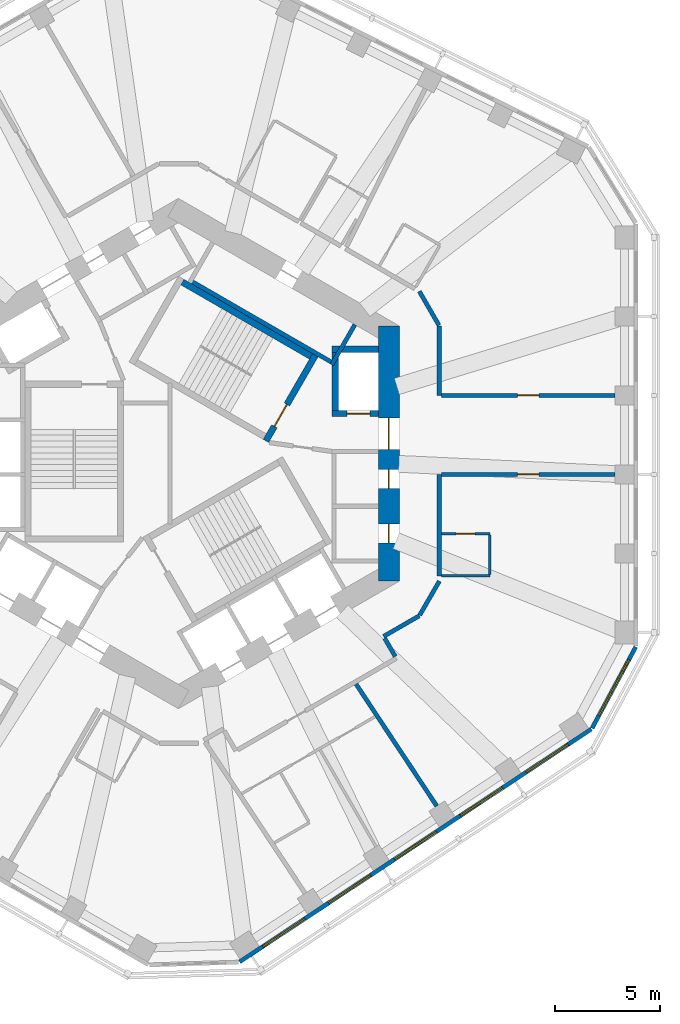
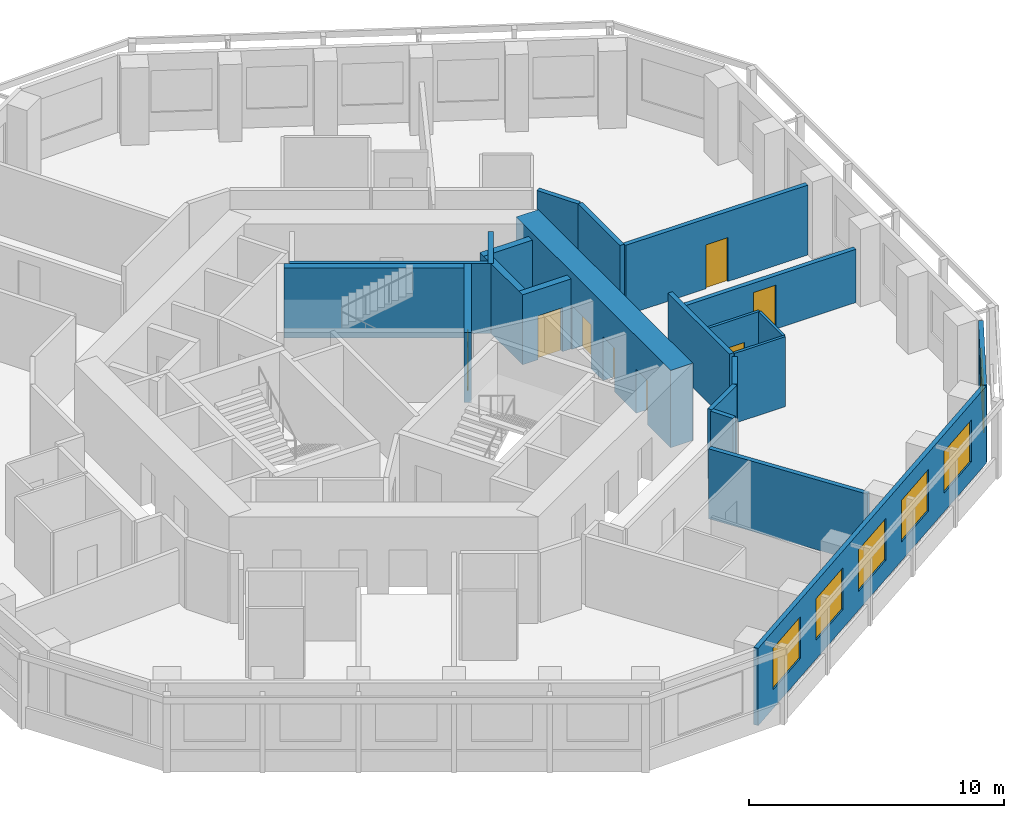
# One storey, part 6 of 11: 22 walls, 8 doors, 6 windows, 14 openings.
"""IFC4 building model written with IfcOpenShell, lengths in metres."""

from ifc_helpers import new_model, si_unit, direction, frame, frame_2d, origin, place, context, subcontext, project, spatial, rectangle, extrude, material, layer, layer_set, type_object, element, fill, save


model = new_model("IFC4")

# Units and contexts
model_context = context("Model", 3, precision=1e-05, world=origin(), true_north=direction((0.0, 1.0)))
body_context = subcontext(model_context, "Body", "Model", "MODEL_VIEW")
ifc_project = project(units=[si_unit("LENGTHUNIT", "METRE"), si_unit("AREAUNIT", "SQUARE_METRE"), si_unit("VOLUMEUNIT", "CUBIC_METRE"), si_unit("PLANEANGLEUNIT", "RADIAN"), si_unit("MASSUNIT", "GRAM", prefix="KILO")], contexts=[model_context])

# Site, building, storey
site_placement = place(None, origin())
site = spatial("IfcSite", under=ifc_project, at=site_placement, CompositionType="ELEMENT")
building_placement = place(site_placement, origin())
building = spatial("IfcBuilding", under=site, at=building_placement, Name="Vanh Sen Convention Tower", CompositionType="ELEMENT")
storey_placement = place(building_placement, frame((0.0, 0.0, 202.10009765625)))
storey = spatial("IfcBuildingStorey", under=building, at=storey_placement, Name="L50", CompositionType="ELEMENT", Elevation=202.10009765625)

# Wall, opening, door
ifc_material_1 = material(Name="Moisture-resistant gypsum board on steel studs", Category="steel")
ifc_layer_1 = layer(ifc_material_1, 0.1201171875)
ifc_layer_set_1 = layer_set([ifc_layer_1], Name="Moisture-resistant gypsum board on steel studs")
wall_type_1 = type_object("IfcWallType", Name="Bathroom partition 120", PredefinedType="PARTITIONING", material=ifc_layer_set_1)
wall_1_placement = place(storey_placement, frame((12.5, -3.812255859375, 0.0), z_axis=(0.0, 0.0, 1.0), x_axis=(1.0, 0.0, 0.0)))
wall_1 = element("IfcWall", 1, at=wall_1_placement, inside=storey, type_object=wall_type_1, Name="Bathroom partition 120", PredefinedType="PARTITIONING", context=body_context, shape_type="SweptSolid", body=[
    extrude(rectangle(XDim=2.300048828125, YDim=0.1201171875, at=frame_2d((1.14990234375, 0.0))), origin(), (0.0, 0.0, 1.0), 3.349853515625),
])
opening_1_placement = place(wall_1_placement, frame((0.699951171875, 0.0, 0.0)))
opening_1 = element("IfcOpeningElement", 2, at=opening_1_placement, cuts=wall_1, Name="Opening D49119", PredefinedType="OPENING", context=body_context, shape_type="SweptSolid", body=[
    extrude(rectangle(XDim=0.89990234375, YDim=2.10009765625, at=frame_2d((0.449951171875, 1.050048828125))), frame((0.0, 0.070068359375, 0.0), z_axis=(0.0, -1.0, 0.0), x_axis=(1.0, 0.0, 0.0)), (0.0, 0.0, 1.0), 0.14013671875),
])
ifc_material_2 = material(Name="Laminate door in steel frame", Category="steel")
door_type_1 = type_object("IfcDoorType", Name="Room internal door 900", OperationType="SINGLE_SWING_LEFT", PredefinedType="DOOR", material=ifc_material_2)
door_1_placement = place(opening_1_placement, origin())
door_1 = element("IfcDoor", 3, at=door_1_placement, inside=storey, type_object=door_type_1, Name="Internal room door D49119", OperationType="SINGLE_SWING_LEFT", OverallHeight=2.10009765625, OverallWidth=0.89990234375, PredefinedType="DOOR", context=body_context, shape_type="SweptSolid", body=[
    extrude(rectangle(XDim=0.89990234375, YDim=2.10009765625, at=frame_2d((0.449951171875, 1.050048828125))), frame((0.0, 0.02490234375, 0.0), z_axis=(0.0, -1.0, 0.0), x_axis=(1.0, 0.0, 0.0)), (0.0, 0.0, 1.0), 0.050048828125),
])
fill(opening_1, door_1)

# Walls
wall_2_placement = place(storey_placement, frame((14.800048828125, -5.812255859375, 0.0), z_axis=(0.0, 0.0, 1.0), x_axis=(-1.0, 0.0, 0.0)))
element("IfcWall", 4, at=wall_2_placement, inside=storey, type_object=wall_type_1, Name="Bathroom partition 120", PredefinedType="PARTITIONING", context=body_context, shape_type="SweptSolid", body=[
    extrude(rectangle(XDim=2.300048828125, YDim=0.1201171875, at=frame_2d((1.14990234375, 0.0))), origin(), (0.0, 0.0, 1.0), 3.349853515625),
])
wall_3_placement = place(storey_placement, frame((14.800048828125, -3.872314453125, 0.0), z_axis=(0.0, 0.0, 1.0), x_axis=(0.0, -1.0, 0.0)))
element("IfcWall", 5, at=wall_3_placement, inside=storey, type_object=wall_type_1, Name="Bathroom partition 120", PredefinedType="PARTITIONING", context=body_context, shape_type="SweptSolid", body=[
    extrude(rectangle(XDim=1.8798828125, YDim=0.1201171875, at=frame_2d((0.93994140625, 0.0))), origin(), (0.0, 0.0, 1.0), 3.349853515625),
])

# Wall, openings, doors
ifc_material_3 = material(Name="Concrete C80/95", Category="concrete")
ifc_layer_2 = layer(ifc_material_3, 1.0)
ifc_layer_set_2 = layer_set([ifc_layer_2], Name="Concrete C80/95")
wall_type_2 = type_object("IfcWallType", Name="Core outer wall 1000 C80/95", PredefinedType="SHEAR", material=ifc_layer_set_2)
wall_4_placement = place(storey_placement, frame((10.0, -6.062255859375, 0.0), z_axis=(0.0, 0.0, 1.0), x_axis=(0.0, 1.0, 0.0)))
wall_4 = element("IfcWall", 6, at=wall_4_placement, inside=storey, type_object=wall_type_2, Name="Core wall face E L50", PredefinedType="SHEAR", context=body_context, shape_type="SweptSolid", body=[
    extrude(rectangle(XDim=12.12451171875, YDim=1.0, at=frame_2d((6.062255859375, 0.0))), origin(), (0.0, 0.0, 1.0), 3.699951171875),
])
opening_2_placement = place(wall_4_placement, frame((6.26220703125, 0.0, 0.0)))
opening_2 = element("IfcOpeningElement", 7, at=opening_2_placement, cuts=wall_4, Name="Opening D49001", PredefinedType="OPENING", context=body_context, shape_type="SweptSolid", body=[
    extrude(rectangle(XDim=1.5, YDim=2.10009765625, at=frame_2d((0.75, 1.050048828125))), frame((0.0, 0.510009765625, 0.0), z_axis=(0.0, -1.0, 0.0), x_axis=(1.0, 0.0, 0.0)), (0.0, 0.0, 1.0), 1.02001953125),
])
opening_3_placement = place(wall_4_placement, frame((1.812255859375, 0.0, 0.0)))
opening_3 = element("IfcOpeningElement", 8, at=opening_3_placement, cuts=wall_4, Name="Opening D49010", PredefinedType="OPENING", context=body_context, shape_type="SweptSolid", body=[
    extrude(rectangle(XDim=0.89990234375, YDim=2.10009765625, at=frame_2d((0.449951171875, 1.050048828125))), frame((0.0, 0.510009765625, 0.0), z_axis=(0.0, -1.0, 0.0), x_axis=(1.0, 0.0, 0.0)), (0.0, 0.0, 1.0), 1.02001953125),
])
opening_4_placement = place(wall_4_placement, frame((4.412109375, 0.0, 0.0)))
opening_4 = element("IfcOpeningElement", 9, at=opening_4_placement, cuts=wall_4, Name="Opening D49011", PredefinedType="OPENING", context=body_context, shape_type="SweptSolid", body=[
    extrude(rectangle(XDim=0.89990234375, YDim=2.10009765625, at=frame_2d((0.449951171875, 1.050048828125))), frame((0.0, 0.510009765625, 0.0), z_axis=(0.0, -1.0, 0.0), x_axis=(1.0, 0.0, 0.0)), (0.0, 0.0, 1.0), 1.02001953125),
])
ifc_material_4 = material(Name="Steel S355", Category="steel")
door_type_2 = type_object("IfcDoorType", Name="Plant door 900", OperationType="SINGLE_SWING_LEFT", PredefinedType="DOOR", material=ifc_material_4)
door_2_placement = place(opening_3_placement, origin())
door_2 = element("IfcDoor", 10, at=door_2_placement, inside=storey, type_object=door_type_2, Name="Plant door D49010", OperationType="SINGLE_SWING_LEFT", OverallHeight=2.10009765625, OverallWidth=0.89990234375, PredefinedType="DOOR", context=body_context, shape_type="SweptSolid", body=[
    extrude(rectangle(XDim=0.89990234375, YDim=2.10009765625, at=frame_2d((0.449951171875, 1.050048828125))), frame((0.0, 0.02490234375, 0.0), z_axis=(0.0, -1.0, 0.0), x_axis=(1.0, 0.0, 0.0)), (0.0, 0.0, 1.0), 0.050048828125),
])
fill(opening_3, door_2)
door_3_placement = place(opening_4_placement, origin())
door_3 = element("IfcDoor", 11, at=door_3_placement, inside=storey, type_object=door_type_2, Name="Plant door D49011", OperationType="SINGLE_SWING_LEFT", OverallHeight=2.10009765625, OverallWidth=0.89990234375, PredefinedType="DOOR", context=body_context, shape_type="SweptSolid", body=[
    extrude(rectangle(XDim=0.89990234375, YDim=2.10009765625, at=frame_2d((0.449951171875, 1.050048828125))), frame((0.0, 0.02490234375, 0.0), z_axis=(0.0, -1.0, 0.0), x_axis=(1.0, 0.0, 0.0)), (0.0, 0.0, 1.0), 0.050048828125),
])
fill(opening_4, door_3)
door_type_3 = type_object("IfcDoorType", Name="Stair lobby door 1500", OperationType="DOUBLE_DOOR_SINGLE_SWING", PredefinedType="DOOR", material=ifc_material_4)
door_4_placement = place(opening_2_placement, origin())
door_4 = element("IfcDoor", 12, at=door_4_placement, inside=storey, type_object=door_type_3, Name="Stair lobby door D49001", OperationType="DOUBLE_DOOR_SINGLE_SWING", OverallHeight=2.10009765625, OverallWidth=1.5, PredefinedType="DOOR", context=body_context, shape_type="SweptSolid", body=[
    extrude(rectangle(XDim=1.5, YDim=2.10009765625, at=frame_2d((0.75, 1.050048828125))), frame((0.0, 0.02490234375, 0.0), z_axis=(0.0, -1.0, 0.0), x_axis=(1.0, 0.0, 0.0)), (0.0, 0.0, 1.0), 0.050048828125),
])
fill(opening_2, door_4)

# Walls
ifc_material_5 = material(Name="Gypsum board on steel studs with mineral wool", Category="steel")
ifc_layer_3 = layer(ifc_material_5, 0.199951171875)
ifc_layer_set_3 = layer_set([ifc_layer_3], Name="Gypsum board on steel studs with mineral wool")
wall_type_3 = type_object("IfcWallType", Name="Corridor partition wall 200", PredefinedType="PARTITIONING", material=ifc_layer_set_3)
wall_5_placement = place(storey_placement, frame((9.751708984375, -8.688232421875, 0.0), z_axis=(0.0, 0.0, 1.0), x_axis=(0.865974105138, 0.500088841337, 0.0)))
element("IfcWall", 13, at=wall_5_placement, inside=storey, type_object=wall_type_3, Name="Corridor partition wall 200", PredefinedType="PARTITIONING", context=body_context, shape_type="SweptSolid", body=[
    extrude(rectangle(XDim=1.961181640625, YDim=0.199951171875, at=frame_2d((0.98046875, 0.0))), origin(), (0.0, 0.0, 1.0), 3.349853515625),
])
wall_6_placement = place(storey_placement, frame((10.302001953125, -9.6416015625, 0.0), z_axis=(0.0, 0.0, 1.0), x_axis=(-0.500074377092, 0.865982457891, 0.0)))
element("IfcWall", 14, at=wall_6_placement, inside=storey, type_object=wall_type_3, Name="Corridor partition wall 200", PredefinedType="PARTITIONING", context=body_context, shape_type="SweptSolid", body=[
    extrude(rectangle(XDim=1.000732421875, YDim=0.199951171875, at=frame_2d((0.50048828125, 0.0))), origin(), (0.0, 0.0, 1.0), 3.349853515625),
])
for number, where, z_axis, x_axis, name in (
    (15, (11.469970703125, -7.673095703125, 0.0), (0.0, 0.0, 1.0), (0.499964847546, 0.866045698112, 0.0), "Corridor partition wall 200"),
    (16, (12.3798828125, 6.0966796875, 0.0), (0.0, 0.0, 1.0), (-0.499964847546, 0.866045698112, 0.0), "Corridor partition wall 200"),
):
    element("IfcWall", number, at=place(storey_placement, frame(where, z_axis=z_axis, x_axis=x_axis)), inside=storey, type_object=wall_type_3, Name=name, PredefinedType="PARTITIONING", context=body_context, shape_type="SweptSolid", body=[
        extrude(rectangle(XDim=1.860107421875, YDim=0.199951171875, at=frame_2d((0.93017578125, 0.0))), origin(), (0.0, 0.0, 1.0), 3.349853515625),
    ])
wall_7_placement = place(storey_placement, frame((12.39990234375, -5.812255859375, 0.0), z_axis=(0.0, 0.0, 1.0), x_axis=(0.0, 1.0, 0.0)))
element("IfcWall", 17, at=wall_7_placement, inside=storey, type_object=wall_type_3, Name="Corridor partition wall 200", PredefinedType="PARTITIONING", context=body_context, shape_type="SweptSolid", body=[
    extrude(rectangle(XDim=4.8193359375, YDim=0.199951171875, at=frame_2d((2.40966796875, 0.0))), origin(), (0.0, 0.0, 1.0), 3.349853515625),
])
wall_8_placement = place(storey_placement, frame((12.39990234375, 2.76123046875, 0.0), z_axis=(0.0, 0.0, 1.0), x_axis=(0.0, 1.0, 0.0)))
element("IfcWall", 18, at=wall_8_placement, inside=storey, type_object=wall_type_3, Name="Corridor partition wall 200", PredefinedType="PARTITIONING", context=body_context, shape_type="SweptSolid", body=[
    extrude(rectangle(XDim=3.301025390625, YDim=0.199951171875, at=frame_2d((1.650390625, 0.0))), origin(), (0.0, 0.0, 1.0), 3.349853515625),
])

# Wall, opening, door
wall_9_placement = place(storey_placement, frame((12.5, -0.992919921875, 0.0), z_axis=(0.0, 0.0, 1.0), x_axis=(1.0, 0.0, 0.0)))
wall_9 = element("IfcWall", 19, at=wall_9_placement, inside=storey, type_object=wall_type_3, Name="Corridor partition wall 200", PredefinedType="PARTITIONING", context=body_context, shape_type="SweptSolid", body=[
    extrude(rectangle(XDim=8.25, YDim=0.199951171875, at=frame_2d((4.125, 0.0))), origin(), (0.0, 0.0, 1.0), 2.5498046875),
])
opening_5_placement = place(wall_9_placement, frame((3.625, 0.0, 0.0)))
opening_5 = element("IfcOpeningElement", 20, at=opening_5_placement, cuts=wall_9, Name="Opening D49118", PredefinedType="OPENING", context=body_context, shape_type="SweptSolid", body=[
    extrude(rectangle(XDim=1.0, YDim=2.10009765625, at=frame_2d((0.5, 1.050048828125))), frame((0.0, 0.10986328125, 0.0), z_axis=(0.0, -1.0, 0.0), x_axis=(1.0, 0.0, 0.0)), (0.0, 0.0, 1.0), 0.219970703125),
])
ifc_material_6 = material(Name="Glazed fire door in steel frame", Category="steel")
door_type_4 = type_object("IfcDoorType", Name="Tenant entrance door 1000", OperationType="SINGLE_SWING_LEFT", PredefinedType="DOOR", material=ifc_material_6)
door_5_placement = place(opening_5_placement, origin())
door_5 = element("IfcDoor", 21, at=door_5_placement, inside=storey, type_object=door_type_4, Name="Tenant suite entrance door D49118", OperationType="SINGLE_SWING_LEFT", OverallHeight=2.10009765625, OverallWidth=1.0, PredefinedType="DOOR", context=body_context, shape_type="SweptSolid", body=[
    extrude(rectangle(XDim=1.0, YDim=2.10009765625, at=frame_2d((0.5, 1.050048828125))), frame((0.0, 0.02490234375, 0.0), z_axis=(0.0, -1.0, 0.0), x_axis=(1.0, 0.0, 0.0)), (0.0, 0.0, 1.0), 0.050048828125),
])
fill(opening_5, door_5)

wall_10_placement = place(storey_placement, frame((20.75, 2.76123046875, 0.0), z_axis=(0.0, 0.0, 1.0), x_axis=(-1.0, 0.0, 0.0)))
wall_10 = element("IfcWall", 22, at=wall_10_placement, inside=storey, type_object=wall_type_3, Name="Corridor partition wall 200", PredefinedType="PARTITIONING", context=body_context, shape_type="SweptSolid", body=[
    extrude(rectangle(XDim=8.25, YDim=0.199951171875, at=frame_2d((4.125, 0.0))), origin(), (0.0, 0.0, 1.0), 3.349853515625),
])
opening_6_placement = place(wall_10_placement, frame((3.625, 0.0, 0.0)))
opening_6 = element("IfcOpeningElement", 23, at=opening_6_placement, cuts=wall_10, Name="Opening D49101", PredefinedType="OPENING", context=body_context, shape_type="SweptSolid", body=[
    extrude(rectangle(XDim=1.0, YDim=2.10009765625, at=frame_2d((0.5, 1.050048828125))), frame((0.0, 0.10986328125, 0.0), z_axis=(0.0, -1.0, 0.0), x_axis=(1.0, 0.0, 0.0)), (0.0, 0.0, 1.0), 0.219970703125),
])
door_6_placement = place(opening_6_placement, origin())
door_6 = element("IfcDoor", 24, at=door_6_placement, inside=storey, type_object=door_type_4, Name="Tenant suite entrance door D49101", OperationType="SINGLE_SWING_LEFT", OverallHeight=2.10009765625, OverallWidth=1.0, PredefinedType="DOOR", context=body_context, shape_type="SweptSolid", body=[
    extrude(rectangle(XDim=1.0, YDim=2.10009765625, at=frame_2d((0.5, 1.050048828125))), frame((0.0, 0.02490234375, 0.0), z_axis=(0.0, -1.0, 0.0), x_axis=(1.0, 0.0, 0.0)), (0.0, 0.0, 1.0), 0.050048828125),
])
fill(opening_6, door_6)

# Wall, openings, windows
ifc_material_7 = material(Name="Insulated lightweight infill wall")
ifc_layer_4 = layer(ifc_material_7, 0.199951171875)
ifc_layer_set_4 = layer_set([ifc_layer_4], Name="Insulated lightweight infill wall")
wall_type_4 = type_object("IfcWallType", Name="External wall 200", PredefinedType="STANDARD", material=ifc_layer_set_4)
wall_11_placement = place(storey_placement, frame((2.910888671875, -24.156005859375, 0.0), z_axis=(0.0, 0.0, 1.0), x_axis=(0.833882163564, 0.551942512668, 0.0)))
wall_11 = element("IfcWall", 25, at=wall_11_placement, inside=storey, type_object=wall_type_4, Name="External wall SE L50", PredefinedType="STANDARD", context=body_context, shape_type="SweptSolid", body=[
    extrude(rectangle(XDim=20.043701171875, YDim=0.199951171875, at=frame_2d((10.02197265625, 0.0))), origin(), (0.0, 0.0, 1.0), 3.699951171875),
])
opening_7_placement = place(wall_11_placement, frame((1.312744140625, 0.0, 0.89990234375)))
opening_7 = element("IfcOpeningElement", 26, at=opening_7_placement, cuts=wall_11, Name="Opening WO1-SE1", PredefinedType="OPENING", context=body_context, shape_type="SweptSolid", body=[
    extrude(rectangle(XDim=2.39990234375, YDim=2.0, at=frame_2d((1.199951171875, 1.0))), frame((0.0, 0.10986328125, 0.0), z_axis=(0.0, -1.0, 0.0), x_axis=(1.0, 0.0, 0.0)), (0.0, 0.0, 1.0), 0.219970703125),
])
opening_8_placement = place(wall_11_placement, frame((5.06689453125, 0.0, 0.89990234375)))
opening_8 = element("IfcOpeningElement", 27, at=opening_8_placement, cuts=wall_11, Name="Opening WO1-SE2", PredefinedType="OPENING", context=body_context, shape_type="SweptSolid", body=[
    extrude(rectangle(XDim=2.39990234375, YDim=2.0, at=frame_2d((1.199951171875, 1.0))), frame((0.0, 0.10986328125, 0.0), z_axis=(0.0, -1.0, 0.0), x_axis=(1.0, 0.0, 0.0)), (0.0, 0.0, 1.0), 0.219970703125),
])
opening_9_placement = place(wall_11_placement, frame((8.82080078125, 0.0, 0.89990234375)))
opening_9 = element("IfcOpeningElement", 28, at=opening_9_placement, cuts=wall_11, Name="Opening WO1-SE3", PredefinedType="OPENING", context=body_context, shape_type="SweptSolid", body=[
    extrude(rectangle(XDim=2.39990234375, YDim=2.0, at=frame_2d((1.199951171875, 1.0))), frame((0.0, 0.10986328125, 0.0), z_axis=(0.0, -1.0, 0.0), x_axis=(1.0, 0.0, 0.0)), (0.0, 0.0, 1.0), 0.219970703125),
])
opening_10_placement = place(wall_11_placement, frame((12.5751953125, 0.0, 0.89990234375)))
opening_10 = element("IfcOpeningElement", 29, at=opening_10_placement, cuts=wall_11, Name="Opening WO1-SE4", PredefinedType="OPENING", context=body_context, shape_type="SweptSolid", body=[
    extrude(rectangle(XDim=2.39990234375, YDim=2.0, at=frame_2d((1.199951171875, 1.0))), frame((0.0, 0.10986328125, 0.0), z_axis=(0.0, -1.0, 0.0), x_axis=(1.0, 0.0, 0.0)), (0.0, 0.0, 1.0), 0.219970703125),
])
opening_11_placement = place(wall_11_placement, frame((16.3291015625, 0.0, 0.89990234375)))
opening_11 = element("IfcOpeningElement", 30, at=opening_11_placement, cuts=wall_11, Name="Opening WO1-SE5", PredefinedType="OPENING", context=body_context, shape_type="SweptSolid", body=[
    extrude(rectangle(XDim=2.39990234375, YDim=2.0, at=frame_2d((1.199951171875, 1.0))), frame((0.0, 0.10986328125, 0.0), z_axis=(0.0, -1.0, 0.0), x_axis=(1.0, 0.0, 0.0)), (0.0, 0.0, 1.0), 0.219970703125),
])
ifc_material_8 = material(Name="Aluminium frame with clear low-emissivity glass", Category="aluminium")
window_type_1 = type_object("IfcWindowType", Name="Office window 2400 x 2000", PartitioningType="SINGLE_PANEL", PredefinedType="WINDOW", material=ifc_material_8)
window_1_placement = place(opening_7_placement, origin())
window_1 = element("IfcWindow", 31, at=window_1_placement, inside=storey, type_object=window_type_1, Name="Window WO1-SE1", OverallHeight=2.0, OverallWidth=2.39990234375, PartitioningType="SINGLE_PANEL", PredefinedType="WINDOW", context=body_context, shape_type="SweptSolid", body=[
    extrude(rectangle(XDim=2.39990234375, YDim=2.0, at=frame_2d((1.199951171875, 1.0))), frame((0.0, 0.030029296875, 0.0), z_axis=(0.0, -1.0, 0.0), x_axis=(1.0, 0.0, 0.0)), (0.0, 0.0, 1.0), 0.06005859375),
])
fill(opening_7, window_1)
window_2_placement = place(opening_8_placement, origin())
window_2 = element("IfcWindow", 32, at=window_2_placement, inside=storey, type_object=window_type_1, Name="Window WO1-SE2", OverallHeight=2.0, OverallWidth=2.39990234375, PartitioningType="SINGLE_PANEL", PredefinedType="WINDOW", context=body_context, shape_type="SweptSolid", body=[
    extrude(rectangle(XDim=2.39990234375, YDim=2.0, at=frame_2d((1.199951171875, 1.0))), frame((0.0, 0.030029296875, 0.0), z_axis=(0.0, -1.0, 0.0), x_axis=(1.0, 0.0, 0.0)), (0.0, 0.0, 1.0), 0.06005859375),
])
fill(opening_8, window_2)
window_3_placement = place(opening_9_placement, origin())
window_3 = element("IfcWindow", 33, at=window_3_placement, inside=storey, type_object=window_type_1, Name="Window WO1-SE3", OverallHeight=2.0, OverallWidth=2.39990234375, PartitioningType="SINGLE_PANEL", PredefinedType="WINDOW", context=body_context, shape_type="SweptSolid", body=[
    extrude(rectangle(XDim=2.39990234375, YDim=2.0, at=frame_2d((1.199951171875, 1.0))), frame((0.0, 0.030029296875, 0.0), z_axis=(0.0, -1.0, 0.0), x_axis=(1.0, 0.0, 0.0)), (0.0, 0.0, 1.0), 0.06005859375),
])
fill(opening_9, window_3)
window_4_placement = place(opening_10_placement, origin())
window_4 = element("IfcWindow", 34, at=window_4_placement, inside=storey, type_object=window_type_1, Name="Window WO1-SE4", OverallHeight=2.0, OverallWidth=2.39990234375, PartitioningType="SINGLE_PANEL", PredefinedType="WINDOW", context=body_context, shape_type="SweptSolid", body=[
    extrude(rectangle(XDim=2.39990234375, YDim=2.0, at=frame_2d((1.199951171875, 1.0))), frame((0.0, 0.030029296875, 0.0), z_axis=(0.0, -1.0, 0.0), x_axis=(1.0, 0.0, 0.0)), (0.0, 0.0, 1.0), 0.06005859375),
])
fill(opening_10, window_4)
window_5_placement = place(opening_11_placement, origin())
window_5 = element("IfcWindow", 35, at=window_5_placement, inside=storey, type_object=window_type_1, Name="Window WO1-SE5", OverallHeight=2.0, OverallWidth=2.39990234375, PartitioningType="SINGLE_PANEL", PredefinedType="WINDOW", context=body_context, shape_type="SweptSolid", body=[
    extrude(rectangle(XDim=2.39990234375, YDim=2.0, at=frame_2d((1.199951171875, 1.0))), frame((0.0, 0.030029296875, 0.0), z_axis=(0.0, -1.0, 0.0), x_axis=(1.0, 0.0, 0.0)), (0.0, 0.0, 1.0), 0.06005859375),
])
fill(opening_11, window_5)

# Wall, opening, window
wall_12_placement = place(storey_placement, frame((19.657958984375, -13.05712890625, 0.0), z_axis=(0.0, 0.0, 1.0), x_axis=(0.473307879841, 0.880897071672, 0.0)))
wall_12 = element("IfcWall", 36, at=wall_12_placement, inside=storey, type_object=wall_type_4, Name="External wall CH6 L50", PredefinedType="STANDARD", context=body_context, shape_type="SweptSolid", body=[
    extrude(rectangle(XDim=4.394775390625, YDim=0.199951171875, at=frame_2d((2.197265625, 0.0))), origin(), (0.0, 0.0, 1.0), 3.699951171875),
])
opening_12_placement = place(wall_12_placement, frame((0.697509765625, 0.0, 0.89990234375)))
opening_12 = element("IfcOpeningElement", 37, at=opening_12_placement, cuts=wall_12, Name="Opening WO2-CH61", PredefinedType="OPENING", context=body_context, shape_type="SweptSolid", body=[
    extrude(rectangle(XDim=3.0, YDim=2.0, at=frame_2d((1.5, 1.0))), frame((0.0, 0.10986328125, 0.0), z_axis=(0.0, -1.0, 0.0), x_axis=(1.0, 0.0, 0.0)), (0.0, 0.0, 1.0), 0.219970703125),
])
window_type_2 = type_object("IfcWindowType", Name="Office window 3000 x 2000", PartitioningType="SINGLE_PANEL", PredefinedType="WINDOW", material=ifc_material_8)
window_6_placement = place(opening_12_placement, origin())
window_6 = element("IfcWindow", 38, at=window_6_placement, inside=storey, type_object=window_type_2, Name="Window WO2-CH61", OverallHeight=2.0, OverallWidth=3.0, PartitioningType="SINGLE_PANEL", PredefinedType="WINDOW", context=body_context, shape_type="SweptSolid", body=[
    extrude(rectangle(XDim=3.0, YDim=2.0, at=frame_2d((1.5, 1.0))), frame((0.0, 0.030029296875, 0.0), z_axis=(0.0, -1.0, 0.0), x_axis=(1.0, 0.0, 0.0)), (0.0, 0.0, 1.0), 0.06005859375),
])
fill(opening_12, window_6)

# Wall, opening, door
ifc_material_9 = material(Name="Concrete C60/75", Category="concrete")
ifc_layer_5 = layer(ifc_material_9, 0.300048828125)
ifc_layer_set_5 = layer_set([ifc_layer_5], Name="Concrete C60/75")
wall_type_5 = type_object("IfcWallType", Name="Fire-fighting lift shaft wall 300", PredefinedType="SHEAR", material=ifc_layer_set_5)
wall_13_placement = place(storey_placement, frame((7.300048828125, 1.89990234375, 0.0), z_axis=(0.0, 0.0, 1.0), x_axis=(1.0, 0.0, 0.0)))
wall_13 = element("IfcWall", 39, at=wall_13_placement, inside=storey, type_object=wall_type_5, Name="Fire-fighting lift shaft wall L50", PredefinedType="SHEAR", context=body_context, shape_type="SweptSolid", body=[
    extrude(rectangle(XDim=2.199951171875, YDim=0.300048828125, at=frame_2d((1.10009765625, 0.0))), origin(), (0.0, 0.0, 1.0), 3.349853515625),
])
opening_13_placement = place(wall_13_placement, frame((0.699951171875, 0.0, 0.0)))
opening_13 = element("IfcOpeningElement", 40, at=opening_13_placement, cuts=wall_13, Name="Opening LD-FF1", PredefinedType="OPENING", context=body_context, shape_type="SweptSolid", body=[
    extrude(rectangle(XDim=1.10009765625, YDim=2.10009765625, at=frame_2d((0.550048828125, 1.050048828125))), frame((0.0, 0.159912109375, 0.0), z_axis=(0.0, -1.0, 0.0), x_axis=(1.0, 0.0, 0.0)), (0.0, 0.0, 1.0), 0.320068359375),
])
ifc_material_10 = material(Name="Stainless steel", Category="steel")
door_type_5 = type_object("IfcDoorType", Name="Fire-fighting lift landing door 1100", OperationType="DOUBLE_DOOR_SLIDING", PredefinedType="DOOR", material=ifc_material_10)
door_7_placement = place(opening_13_placement, origin())
door_7 = element("IfcDoor", 41, at=door_7_placement, inside=storey, type_object=door_type_5, Name="Lift FF1 landing door LD-FF1", OperationType="DOUBLE_DOOR_SLIDING", OverallHeight=2.10009765625, OverallWidth=1.10009765625, PredefinedType="DOOR", context=body_context, shape_type="SweptSolid", body=[
    extrude(rectangle(XDim=1.10009765625, YDim=2.10009765625, at=frame_2d((0.550048828125, 1.050048828125))), frame((0.0, 0.02490234375, 0.0), z_axis=(0.0, -1.0, 0.0), x_axis=(1.0, 0.0, 0.0)), (0.0, 0.0, 1.0), 0.050048828125),
])
fill(opening_13, door_7)

# Walls
wall_14_placement = place(storey_placement, frame((7.449951171875, 1.75, 0.0), z_axis=(0.0, 0.0, 1.0), x_axis=(0.0, 1.0, 0.0)))
element("IfcWall", 42, at=wall_14_placement, inside=storey, type_object=wall_type_5, Name="Fire-fighting lift shaft wall L50", PredefinedType="SHEAR", context=body_context, shape_type="SweptSolid", body=[
    extrude(rectangle(XDim=3.35009765625, YDim=0.300048828125, at=frame_2d((1.675048828125, 0.0))), origin(), (0.0, 0.0, 1.0), 3.349853515625),
])
wall_15_placement = place(storey_placement, frame((7.300048828125, 4.949951171875, 0.0), z_axis=(0.0, 0.0, 1.0), x_axis=(1.0, 0.0, 0.0)))
element("IfcWall", 43, at=wall_15_placement, inside=storey, type_object=wall_type_5, Name="Fire-fighting lift shaft wall L50", PredefinedType="SHEAR", context=body_context, shape_type="SweptSolid", body=[
    extrude(rectangle(XDim=2.199951171875, YDim=0.300048828125, at=frame_2d((1.10009765625, 0.0))), origin(), (0.0, 0.0, 1.0), 3.349853515625),
])
ifc_material_11 = material(Name="Concrete C40/50", Category="concrete")
ifc_layer_6 = layer(ifc_material_11, 0.199951171875)
ifc_layer_set_6 = layer_set([ifc_layer_6], Name="Concrete C40/50")
wall_type_6 = type_object("IfcWallType", Name="Lift shaft wall 200", PredefinedType="PARTITIONING", material=ifc_layer_set_6)
wall_16_placement = place(storey_placement, frame((7.423828125, 4.258544921875, 0.0), z_axis=(0.0, 0.0, 1.0), x_axis=(-0.866026010844, 0.49999894854, 0.0)))
element("IfcWall", 44, at=wall_16_placement, inside=storey, type_object=wall_type_6, Name="Lift shaft wall L50", PredefinedType="PARTITIONING", context=body_context, shape_type="SweptSolid", body=[
    extrude(rectangle(XDim=8.0, YDim=0.199951171875, at=frame_2d((4.0, 0.0))), origin(), (0.0, 0.0, 1.0), 3.349853515625),
])
wall_17_placement = place(storey_placement, frame((7.287353515625, 4.221923828125, 0.0), z_axis=(0.0, 0.0, 1.0), x_axis=(0.499946605688, 0.86605622881, 0.0)))
element("IfcWall", 45, at=wall_17_placement, inside=storey, type_object=wall_type_6, Name="Lift shaft wall L50", PredefinedType="PARTITIONING", context=body_context, shape_type="SweptSolid", body=[
    extrude(rectangle(XDim=2.199951171875, YDim=0.199951171875, at=frame_2d((1.10009765625, 0.0))), origin(), (0.0, 0.0, 1.0), 3.349853515625),
])

# Wall, opening, door
ifc_layer_7 = layer(ifc_material_9, 0.300048828125)
ifc_layer_set_7 = layer_set([ifc_layer_7], Name="Concrete C60/75")
wall_type_7 = type_object("IfcWallType", Name="Stair wall 300", PredefinedType="SHEAR", material=ifc_layer_set_7)
wall_18_placement = place(storey_placement, frame((4.157958984375, 0.601806640625, 0.0), z_axis=(0.0, 0.0, 1.0), x_axis=(0.499977259774, 0.866038532462, 0.0)))
wall_18 = element("IfcWall", 46, at=wall_18_placement, inside=storey, type_object=wall_type_7, Name="Stair wall L50", PredefinedType="SHEAR", context=body_context, shape_type="SweptSolid", body=[
    extrude(rectangle(XDim=4.699951171875, YDim=0.300048828125, at=frame_2d((2.35009765625, 0.0))), origin(), (0.0, 0.0, 1.0), 3.349853515625),
])
opening_14_placement = place(wall_18_placement, frame((0.800048828125, 0.0, 0.0)))
opening_14 = element("IfcOpeningElement", 47, at=opening_14_placement, cuts=wall_18, Name="Opening D49004", PredefinedType="OPENING", context=body_context, shape_type="SweptSolid", body=[
    extrude(rectangle(XDim=1.199951171875, YDim=2.10009765625, at=frame_2d((0.60009765625, 1.050048828125))), frame((0.0, 0.159912109375, 0.0), z_axis=(0.0, -1.0, 0.0), x_axis=(1.0, 0.0, 0.0)), (0.0, 0.0, 1.0), 0.320068359375),
])
door_type_6 = type_object("IfcDoorType", Name="Stair door 1200", OperationType="SINGLE_SWING_RIGHT", PredefinedType="DOOR", material=ifc_material_4)
door_8_placement = place(opening_14_placement, origin())
door_8 = element("IfcDoor", 48, at=door_8_placement, inside=storey, type_object=door_type_6, Name="Stair ST1 door D49004", OperationType="SINGLE_SWING_RIGHT", OverallHeight=2.10009765625, OverallWidth=1.199951171875, PredefinedType="DOOR", context=body_context, shape_type="SweptSolid", body=[
    extrude(rectangle(XDim=1.199951171875, YDim=2.10009765625, at=frame_2d((0.60009765625, 1.050048828125))), frame((0.0, 0.02490234375, 0.0), z_axis=(0.0, -1.0, 0.0), x_axis=(1.0, 0.0, 0.0)), (0.0, 0.0, 1.0), 0.050048828125),
])
fill(opening_14, door_8)

# Walls
wall_19_placement = place(storey_placement, frame((6.302978515625, 4.6171875, 0.0), z_axis=(0.0, 0.0, 1.0), x_axis=(-0.866027801685, 0.499995846692, 0.0)))
element("IfcWall", 49, at=wall_19_placement, inside=storey, type_object=wall_type_7, Name="Stair wall L50", PredefinedType="SHEAR", context=body_context, shape_type="SweptSolid", body=[
    extrude(rectangle(XDim=7.06005859375, YDim=0.300048828125, at=frame_2d((3.530029296875, 0.0))), origin(), (0.0, 0.0, 1.0), 3.349853515625),
])
ifc_layer_8 = layer(ifc_material_5, 0.199951171875)
ifc_layer_set_8 = layer_set([ifc_layer_8], Name="Gypsum board on steel studs with mineral wool")
wall_type_8 = type_object("IfcWallType", Name="Tenant suite wall 200", PredefinedType="PARTITIONING", material=ifc_layer_set_8)
wall_20_placement = place(storey_placement, frame((12.280517578125, -16.755126953125, 0.0), z_axis=(0.0, 0.0, 1.0), x_axis=(-0.551925794663, 0.833893228888, 0.0)))
element("IfcWall", 50, at=wall_20_placement, inside=storey, type_object=wall_type_8, Name="Tenant suite wall 200", PredefinedType="PARTITIONING", context=body_context, shape_type="SweptSolid", body=[
    extrude(rectangle(XDim=6.95263671875, YDim=0.199951171875, at=frame_2d((3.476318359375, 0.0))), origin(), (0.0, 0.0, 1.0), 3.349853515625),
])

save(model, "model.ifc")
